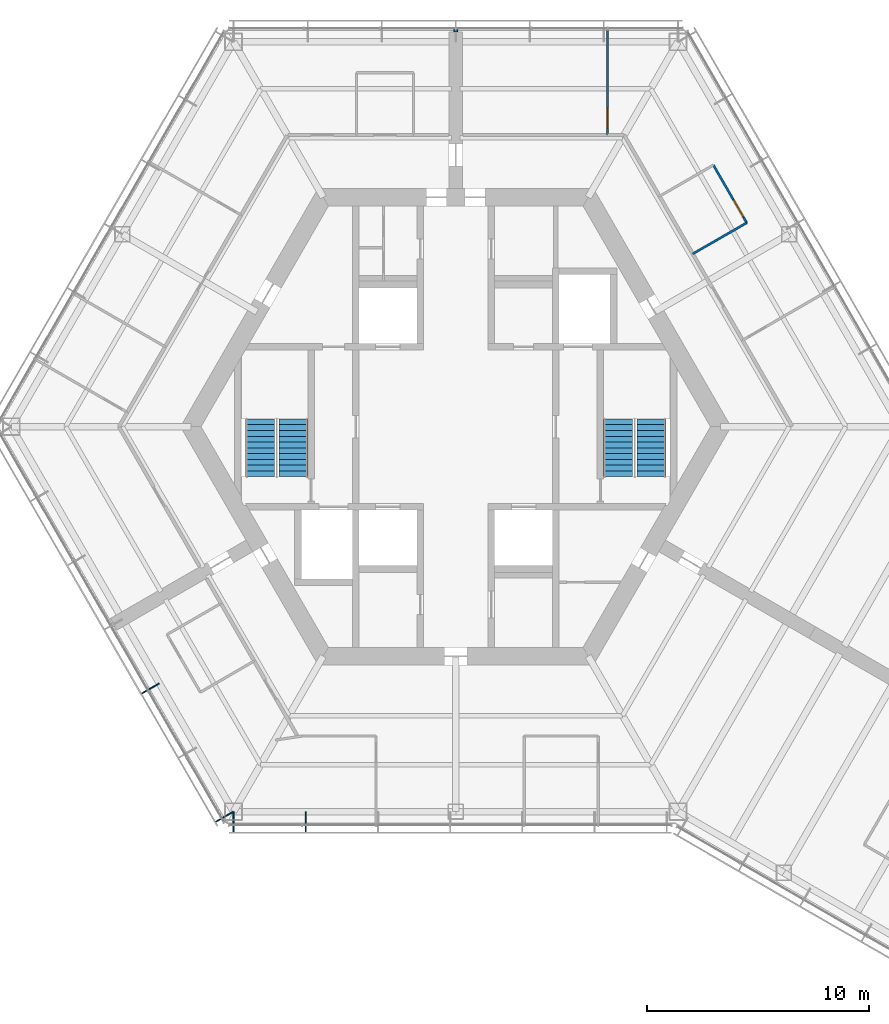
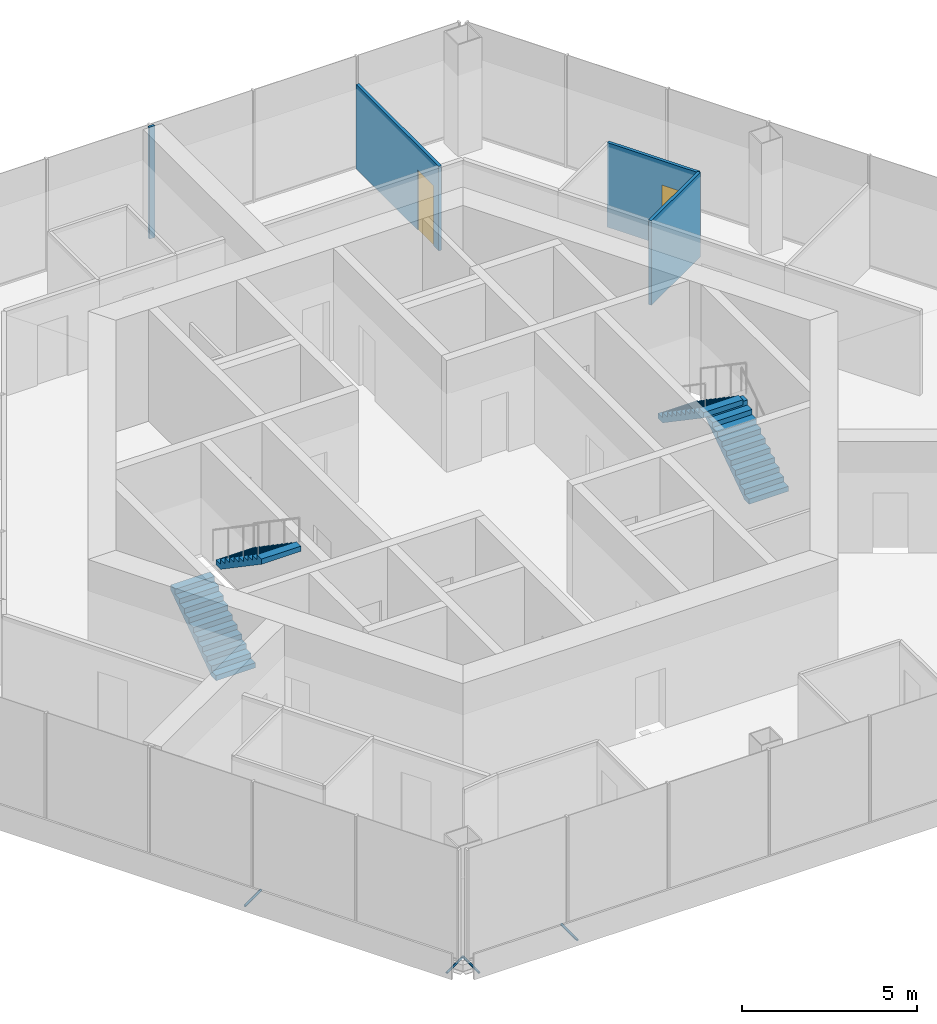
# One storey, part 13 of 16: 4 discrete accessories, 4 stair flights, 4 walls, 2 doors, 2 openings, 2 elements without a shape of their own.
"""IFC4 building model written with IfcOpenShell, lengths in metres."""

from ifc_helpers import new_model, si_unit, direction, frame, frame_2d, origin, origin_2d, place, context, subcontext, project, spatial, polyline, rectangle, hollow_circle, outline, extrude, material, layer, layer_set, material_profile, profile_set, type_object, element, fill, aggregate, save


model = new_model("IFC4")

# Units and contexts
model_context = context("Model", 3, precision=1e-05, world=origin(), true_north=direction((0.0, 1.0)))
body_context = subcontext(model_context, "Body", "Model", "MODEL_VIEW")
ifc_project = project(units=[si_unit("LENGTHUNIT", "METRE"), si_unit("AREAUNIT", "SQUARE_METRE"), si_unit("VOLUMEUNIT", "CUBIC_METRE"), si_unit("PLANEANGLEUNIT", "RADIAN"), si_unit("MASSUNIT", "GRAM", prefix="KILO")], contexts=[model_context])

# Site, building, storey
site_placement = place(None, origin())
site = spatial("IfcSite", under=ifc_project, at=site_placement, CompositionType="ELEMENT")
building_placement = place(site_placement, origin())
building = spatial("IfcBuilding", under=site, at=building_placement, Name="Kasaneha Research Tower", CompositionType="ELEMENT")
storey_placement = place(building_placement, frame((0.0, 0.0, 263.5)))
storey = spatial("IfcBuildingStorey", under=building, at=storey_placement, Name="L66", CompositionType="ELEMENT", Elevation=263.5)

# Wall, opening, door
ifc_material_1 = material(Name="Gypsum board on steel studs, one layer each side", Category="steel")
ifc_layer_1 = layer(ifc_material_1, 0.10009765625)
ifc_layer_set_1 = layer_set([ifc_layer_1], Name="Office partition 100")
wall_type_1 = type_object("IfcWallType", Name="Office partition 100", PredefinedType="PARTITIONING", material=ifc_layer_set_1)
wall_1_placement = place(storey_placement, frame((11.591552734375, 11.77294921875, 0.0), z_axis=(0.0, 0.0, 1.0), x_axis=(0.499990139034, -0.866031096941, 0.0)))
wall_1 = element("IfcWall", 1, at=wall_1_placement, inside=storey, type_object=wall_type_1, Name="Office partition FAE08 L66", PredefinedType="PARTITIONING", context=body_context, shape_type="SweptSolid", body=[
    extrude(rectangle(XDim=3.0, YDim=0.10009765625, at=frame_2d((1.5, 0.0))), origin(), (0.0, 0.0, 1.0), 2.949951171875),
])
opening_1_placement = place(wall_1_placement, frame((1.800048828125, 0.0, 0.0)))
opening_1 = element("IfcOpeningElement", 2, at=opening_1_placement, cuts=wall_1, Name="Opening L66-D25", PredefinedType="OPENING", context=body_context, shape_type="SweptSolid", body=[
    extrude(rectangle(XDim=0.89990234375, YDim=2.10009765625, at=frame_2d((0.449951171875, 1.050048828125))), frame((0.0, 0.06005859375, 0.0), z_axis=(0.0, -1.0, 0.0), x_axis=(1.0, 0.0, 0.0)), (0.0, 0.0, 1.0), 0.1201171875),
])
ifc_material_2 = material(Name="Timber veneer", Category="wood")
door_type = type_object("IfcDoorType", Name="Office door 900x2100", OperationType="SINGLE_SWING_LEFT", PredefinedType="DOOR", material=ifc_material_2)
door_1_placement = place(opening_1_placement, origin())
door_1 = element("IfcDoor", 3, at=door_1_placement, inside=storey, type_object=door_type, Name="Pantry door L66-D25", OperationType="SINGLE_SWING_RIGHT", OverallHeight=2.10009765625, OverallWidth=0.89990234375, PredefinedType="DOOR", context=body_context, shape_type="SweptSolid", body=[
    extrude(rectangle(XDim=0.89990234375, YDim=2.10009765625, at=frame_2d((0.449951171875, 1.050048828125))), frame((0.0, 0.02490234375, 0.0), z_axis=(0.0, -1.0, 0.0), x_axis=(1.0, 0.0, 0.0)), (0.0, 0.0, 1.0), 0.050048828125),
])
fill(opening_1, door_1)

# Wall
wall_2_placement = place(storey_placement, frame((13.091552734375, 9.1748046875, 0.0), z_axis=(0.0, 0.0, 1.0), x_axis=(-0.866855433567, -0.498559582492, 0.0)))
element("IfcWall", 4, at=wall_2_placement, inside=storey, type_object=wall_type_1, Name="Office partition FAE09 L66", PredefinedType="PARTITIONING", context=body_context, shape_type="SweptSolid", body=[
    extrude(rectangle(XDim=2.800048828125, YDim=0.10009765625, at=frame_2d((1.39990234375, 0.0))), origin(), (0.0, 0.0, 1.0), 2.949951171875),
])

# Wall, opening, door
wall_3_placement = place(storey_placement, frame((6.8310546875, 17.85546875, 0.0), z_axis=(0.0, 0.0, 1.0), x_axis=(-0.000980594079, -0.999999519218, 0.0)))
wall_3 = element("IfcWall", 5, at=wall_3_placement, inside=storey, type_object=wall_type_1, Name="Office partition FAE11 L66", PredefinedType="PARTITIONING", context=body_context, shape_type="SweptSolid", body=[
    extrude(rectangle(XDim=4.73046875, YDim=0.10009765625, at=frame_2d((2.365234375, 0.0))), origin(), (0.0, 0.0, 1.0), 2.949951171875),
])
opening_2_placement = place(wall_3_placement, frame((3.530517578125, 0.0, 0.0)))
opening_2 = element("IfcOpeningElement", 6, at=opening_2_placement, cuts=wall_3, Name="Opening L66-D27", PredefinedType="OPENING", context=body_context, shape_type="SweptSolid", body=[
    extrude(rectangle(XDim=0.89990234375, YDim=2.10009765625, at=frame_2d((0.449951171875, 1.050048828125))), frame((0.0, 0.06005859375, 0.0), z_axis=(0.0, -1.0, 0.0), x_axis=(1.0, 0.0, 0.0)), (0.0, 0.0, 1.0), 0.1201171875),
])
door_2_placement = place(opening_2_placement, origin())
door_2 = element("IfcDoor", 7, at=door_2_placement, inside=storey, type_object=door_type, Name="Reception room door L66-D27", OperationType="SINGLE_SWING_RIGHT", OverallHeight=2.10009765625, OverallWidth=0.89990234375, PredefinedType="DOOR", context=body_context, shape_type="SweptSolid", body=[
    extrude(rectangle(XDim=0.89990234375, YDim=2.10009765625, at=frame_2d((0.449951171875, 1.050048828125))), frame((0.0, 0.02490234375, 0.0), z_axis=(0.0, -1.0, 0.0), x_axis=(1.0, 0.0, 0.0)), (0.0, 0.0, 1.0), 0.050048828125),
])
fill(opening_2, door_2)

# Wall
ifc_material_3 = material(Name="Gypsum board on steel studs, two layers each side", Category="steel")
ifc_layer_2 = layer(ifc_material_3, 0.175048828125)
ifc_layer_set_2 = layer_set([ifc_layer_2], Name="Tenancy fire partition 175")
wall_type_2 = type_object("IfcWallType", Name="Tenancy fire partition 175", PredefinedType="PARTITIONING", material=ifc_layer_set_2)
wall_4_placement = place(storey_placement, frame((0.0, 17.7705078125, 0.0), z_axis=(0.0, 0.0, 1.0), x_axis=(0.0, 1.0, 0.0)))
element("IfcWall", 8, at=wall_4_placement, inside=storey, type_object=wall_type_2, Name="Spine wall closer SW4-600 L66", PredefinedType="PARTITIONING", context=body_context, shape_type="SweptSolid", body=[
    extrude(rectangle(XDim=0.0849609375, YDim=0.175048828125, at=frame_2d((0.04248046875, 0.0))), origin(), (0.0, 0.0, 1.0), 3.89990234375),
])

# Stair, stair flights
ifc_material_4 = material(Name="Concrete Fc24", Category="concrete")
stair_type = type_object("IfcStairType", Name="Half-turn stair 22 risers", PredefinedType="HALF_TURN_STAIR", material=ifc_material_4)
stair_1_placement = place(storey_placement, origin())
stair_1 = element("IfcStair", 9, at=stair_1_placement, inside=storey, type_object=stair_type, Name="Stair 1 L66", PredefinedType="HALF_TURN_STAIR")
ifc_material_5 = material(Name="Concrete Fc24", Category="concrete")
stair_flight_type = type_object("IfcStairFlightType", Name="Stair flight 11 risers 177.3", PredefinedType="STRAIGHT", material=ifc_material_5)
stair_flight_1_placement = place(storey_placement, frame((8.800048828125, -2.25, 0.0), z_axis=(0.0, 0.0, 1.0), x_axis=(0.0, 1.0, 0.0)))
stair_flight_1 = element("IfcStairFlight", 10, at=stair_flight_1_placement, type_object=stair_flight_type, Name="ST1-22R flight 1", NumberOfRisers=11, NumberOfTreads=10, PredefinedType="STRAIGHT", RiserHeight=0.177272727, TreadLength=0.26, context=body_context, shape_type="SweptSolid", body=[
    extrude(outline(polyline([(0.0, 0.0), (0.0, 0.17724609375), (0.260009765625, 0.17724609375), (0.260009765625, 0.3544921875), (0.52001953125, 0.3544921875), (0.52001953125, 0.53173828125), (0.780029296875, 0.53173828125), (0.780029296875, 0.708984375), (1.0400390625, 0.708984375), (1.0400390625, 0.886474609375), (1.300048828125, 0.886474609375), (1.300048828125, 1.063720703125), (1.56005859375, 1.063720703125), (1.56005859375, 1.240966796875), (1.820068359375, 1.240966796875), (1.820068359375, 1.418212890625), (2.080078125, 1.418212890625), (2.080078125, 1.595458984375), (2.340087890625, 1.595458984375), (2.340087890625, 1.772705078125), (2.60009765625, 1.772705078125), (2.60009765625, 1.949951171875), (2.60009765625, 1.59130859375), (0.26611328125, 0.0), (0.0, 0.0)])), frame((0.0, 0.64990234375, 0.0), z_axis=(0.0, -1.0, 0.0), x_axis=(1.0, 0.0, 0.0)), (0.0, 0.0, 1.0), 1.300048828125),
])
stair_flight_2_placement = place(storey_placement, frame((7.300048828125, 0.35009765625, 1.949951171875), z_axis=(0.0, 0.0, 1.0), x_axis=(0.0, -1.0, 0.0)))
stair_flight_2 = element("IfcStairFlight", 11, at=stair_flight_2_placement, type_object=stair_flight_type, Name="ST1-22R flight 2", NumberOfRisers=11, NumberOfTreads=10, PredefinedType="STRAIGHT", RiserHeight=0.177272727, TreadLength=0.26, context=body_context, shape_type="SweptSolid", body=[
    extrude(outline(polyline([(0.0, 0.0), (0.0, 0.17724609375), (0.260009765625, 0.17724609375), (0.260009765625, 0.3544921875), (0.52001953125, 0.3544921875), (0.52001953125, 0.53173828125), (0.780029296875, 0.53173828125), (0.780029296875, 0.708984375), (1.0400390625, 0.708984375), (1.0400390625, 0.886474609375), (1.300048828125, 0.886474609375), (1.300048828125, 1.063720703125), (1.56005859375, 1.063720703125), (1.56005859375, 1.240966796875), (1.820068359375, 1.240966796875), (1.820068359375, 1.418212890625), (2.080078125, 1.418212890625), (2.080078125, 1.595458984375), (2.340087890625, 1.595458984375), (2.340087890625, 1.772705078125), (2.60009765625, 1.772705078125), (2.60009765625, 1.949951171875), (2.60009765625, 1.59130859375), (0.26611328125, 0.0), (0.0, 0.0)])), frame((0.0, 0.64990234375, 0.0), z_axis=(0.0, -1.0, 0.0), x_axis=(1.0, 0.0, 0.0)), (0.0, 0.0, 1.0), 1.300048828125),
])
aggregate(stair_1, [stair_flight_1, stair_flight_2])

stair_2_placement = place(storey_placement, origin())
stair_2 = element("IfcStair", 12, at=stair_2_placement, inside=storey, type_object=stair_type, Name="Stair 2 L66", PredefinedType="HALF_TURN_STAIR")
stair_flight_3_placement = place(storey_placement, frame((-8.800048828125, -2.25, 0.0), z_axis=(0.0, 0.0, 1.0), x_axis=(0.0, 1.0, 0.0)))
stair_flight_3 = element("IfcStairFlight", 13, at=stair_flight_3_placement, type_object=stair_flight_type, Name="ST2-22R flight 1", NumberOfRisers=11, NumberOfTreads=10, PredefinedType="STRAIGHT", RiserHeight=0.177272727, TreadLength=0.26, context=body_context, shape_type="SweptSolid", body=[
    extrude(outline(polyline([(0.0, 0.0), (0.0, 0.17724609375), (0.260009765625, 0.17724609375), (0.260009765625, 0.3544921875), (0.52001953125, 0.3544921875), (0.52001953125, 0.53173828125), (0.780029296875, 0.53173828125), (0.780029296875, 0.708984375), (1.0400390625, 0.708984375), (1.0400390625, 0.886474609375), (1.300048828125, 0.886474609375), (1.300048828125, 1.063720703125), (1.56005859375, 1.063720703125), (1.56005859375, 1.240966796875), (1.820068359375, 1.240966796875), (1.820068359375, 1.418212890625), (2.080078125, 1.418212890625), (2.080078125, 1.595458984375), (2.340087890625, 1.595458984375), (2.340087890625, 1.772705078125), (2.60009765625, 1.772705078125), (2.60009765625, 1.949951171875), (2.60009765625, 1.59130859375), (0.26611328125, 0.0), (0.0, 0.0)])), frame((0.0, 0.64990234375, 0.0), z_axis=(0.0, -1.0, 0.0), x_axis=(1.0, 0.0, 0.0)), (0.0, 0.0, 1.0), 1.300048828125),
])
stair_flight_4_placement = place(storey_placement, frame((-7.300048828125, 0.35009765625, 1.949951171875), z_axis=(0.0, 0.0, 1.0), x_axis=(0.0, -1.0, 0.0)))
stair_flight_4 = element("IfcStairFlight", 14, at=stair_flight_4_placement, type_object=stair_flight_type, Name="ST2-22R flight 2", NumberOfRisers=11, NumberOfTreads=10, PredefinedType="STRAIGHT", RiserHeight=0.177272727, TreadLength=0.26, context=body_context, shape_type="SweptSolid", body=[
    extrude(outline(polyline([(0.0, 0.0), (0.0, 0.17724609375), (0.260009765625, 0.17724609375), (0.260009765625, 0.3544921875), (0.52001953125, 0.3544921875), (0.52001953125, 0.53173828125), (0.780029296875, 0.53173828125), (0.780029296875, 0.708984375), (1.0400390625, 0.708984375), (1.0400390625, 0.886474609375), (1.300048828125, 0.886474609375), (1.300048828125, 1.063720703125), (1.56005859375, 1.063720703125), (1.56005859375, 1.240966796875), (1.820068359375, 1.240966796875), (1.820068359375, 1.418212890625), (2.080078125, 1.418212890625), (2.080078125, 1.595458984375), (2.340087890625, 1.595458984375), (2.340087890625, 1.772705078125), (2.60009765625, 1.772705078125), (2.60009765625, 1.949951171875), (2.60009765625, 1.59130859375), (0.26611328125, 0.0), (0.0, 0.0)])), frame((0.0, 0.64990234375, 0.0), z_axis=(0.0, -1.0, 0.0), x_axis=(1.0, 0.0, 0.0)), (0.0, 0.0, 1.0), 1.300048828125),
])
aggregate(stair_2, [stair_flight_3, stair_flight_4])

# Discrete accessories
ifc_material_6 = material(Name="Steel STK400", Category="steel")
ifc_material_profile = material_profile(ifc_material_6, hollow_circle(Radius=0.0380859375, WallThickness=0.00390625, at=origin_2d()), Name="CHS-76.3x4.0")
ifc_profile_set = profile_set([ifc_material_profile], Name="Steel STK400")
discrete_accessory_type = type_object("IfcDiscreteAccessoryType", Name="Screen bracket CHS-76.3x4.0", PredefinedType="BRACKET", material=ifc_profile_set)
discrete_accessory_1_placement = place(storey_placement, frame((-13.333984375, -11.5458984375, -0.300048828125), z_axis=(-0.866013213425, -0.500021113727, 0.0), x_axis=(0.500021113727, -0.866013213425, 0.0)))
element("IfcDiscreteAccessory", 15, at=discrete_accessory_1_placement, inside=storey, type_object=discrete_accessory_type, Name="Screen bracket 5", PredefinedType="BRACKET", context=body_context, shape_type="SweptSolid", body=[
    extrude(hollow_circle(Radius=0.0380859375, WallThickness=0.00390625, at=origin_2d()), origin(), (0.0, 0.0, 1.0), 0.919921875),
])
discrete_accessory_2_placement = place(storey_placement, frame((-10.001708984375, -17.3173828125, -0.300048828125), z_axis=(-0.866079547155, -0.499906209203, 0.0), x_axis=(0.499906209203, -0.866079547155, 0.0)))
element("IfcDiscreteAccessory", 16, at=discrete_accessory_2_placement, inside=storey, type_object=discrete_accessory_type, Name="Screen bracket 7", PredefinedType="BRACKET", context=body_context, shape_type="SweptSolid", body=[
    extrude(hollow_circle(Radius=0.0380859375, WallThickness=0.00390625, at=origin_2d()), origin(), (0.0, 0.0, 1.0), 0.920166015625),
])
for number, where, z_axis, x_axis, name in (
    (17, (-9.996337890625, -17.320556640625, -0.300048828125), (0.0, -1.0, 0.0), (1.0, 0.0, 0.0), "Screen bracket 1"),
    (18, (-6.748779296875, -17.320556640625, -0.300048828125), (0.0, -1.0, 0.0), (1.0, 0.0, 0.0), "Screen bracket 2"),
):
    element("IfcDiscreteAccessory", number, at=place(storey_placement, frame(where, z_axis=z_axis, x_axis=x_axis)), inside=storey, type_object=discrete_accessory_type, Name=name, PredefinedType="BRACKET", context=body_context, shape_type="SweptSolid", body=[
        extrude(hollow_circle(Radius=0.0380859375, WallThickness=0.00390625, at=origin_2d()), origin(), (0.0, 0.0, 1.0), 0.919921875),
    ])

save(model, "model.ifc")
